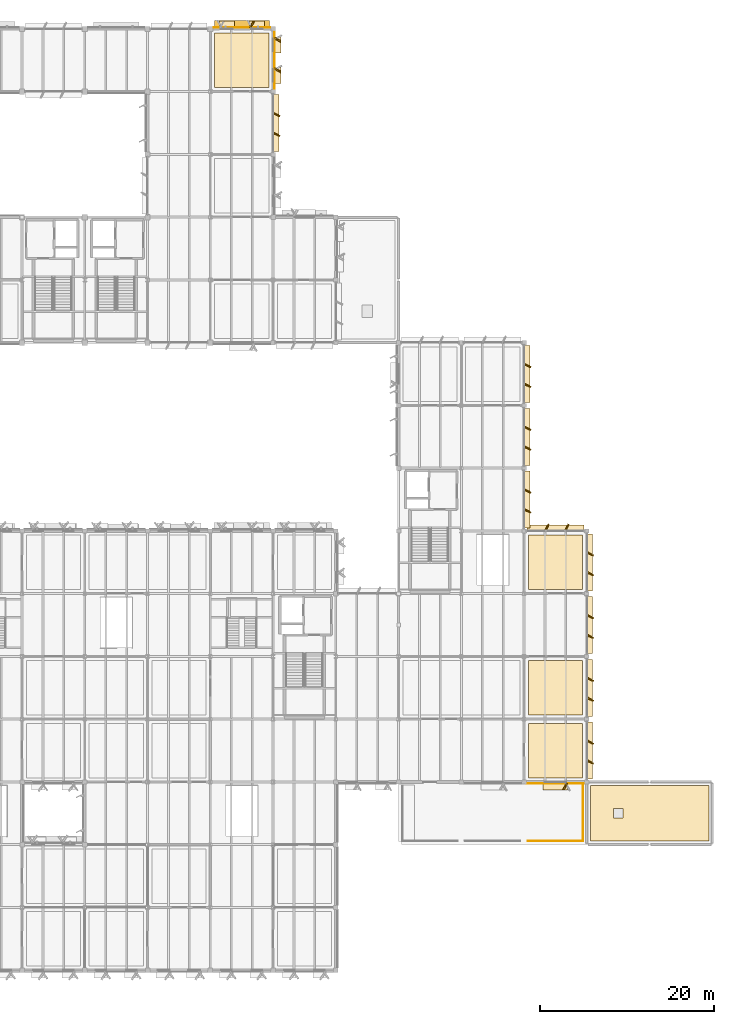
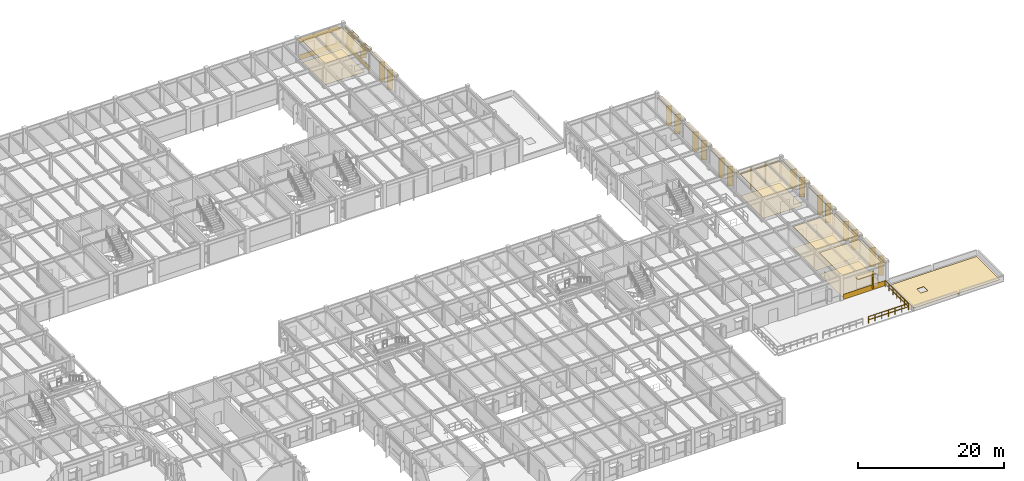
# One storey, part 85 of 85: 49 coverings, 2 railings, 1 shading device.
"""IFC4 building model written with IfcOpenShell, lengths in metres."""

import ifcopenshell
import ifcopenshell.guid

model = None  # the IFC model being written
_history = None  # IfcOwnerHistory: only IFC2X3 demands one
_inside = {}  # id of a spatial element -> (the spatial element, [elements in it])
_under = {}  # id of a project, library or spatial element -> (it, [spatial elements below it])
_declared = {}  # id of a project -> (the project, [libraries it declares])
_typed = {}  # id of a type object -> (the type object, [elements of that type])
_made_of = {}  # id of a material, layer set ... -> (it, [elements and type objects made of it])


def new_model(schema):
    """Start an empty IFC model of exactly this schema.

    Asked for "IFC4X3", IfcOpenShell would pick the latest addendum, in which some entities
    have other attributes; the version numbers below select the first issue.
    IFC2X3 requires an IfcOwnerHistory on every rooted entity: one is made here for all.
    """
    global model, _history
    if schema == "IFC4X3":
        model = ifcopenshell.file(schema_version=(4, 3, 0, 0))
    else:
        model = ifcopenshell.file(schema=schema)
    _inside.clear()
    _under.clear()
    _declared.clear()
    _typed.clear()
    _made_of.clear()
    _history = None
    if model.schema == "IFC2X3":
        org = make("IfcOrganization", Name="unknown")
        user = make(
            "IfcPersonAndOrganization",
            ThePerson=make("IfcPerson", FamilyName="unknown"),
            TheOrganization=org,
        )
        app = make(
            "IfcApplication",
            ApplicationDeveloper=org,
            Version="unknown",
            ApplicationFullName="unknown",
            ApplicationIdentifier="unknown",
        )
        _history = make(
            "IfcOwnerHistory",
            OwningUser=user,
            OwningApplication=app,
            ChangeAction="ADDED",
            CreationDate=0,
        )
    return model


def make(cls, **values):
    """One entity of the class cls with the attributes given. An attribute that is None is left unset."""
    return model.create_entity(
        cls, **{name: value for name, value in values.items() if value is not None}
    )


def rooted(cls, **values):
    """An entity with a GlobalId (a new one), such as an element, a storey or a relation."""
    return make(cls, GlobalId=ifcopenshell.guid.new(), OwnerHistory=_history, **values)


def si_unit(unit_type, name, prefix=None):
    """IfcSIUnit, for example si_unit("LENGTHUNIT", "METRE", prefix="MILLI")."""
    return make("IfcSIUnit", UnitType=unit_type, Prefix=prefix, Name=name)


def assignment(units):
    """IfcUnitAssignment: the units of a project."""
    return None if units is None else make("IfcUnitAssignment", Units=units)


def point(xyz):
    """IfcCartesianPoint."""
    return None if xyz is None else make("IfcCartesianPoint", Coordinates=xyz)


def direction(xyz):
    """IfcDirection."""
    return None if xyz is None else make("IfcDirection", DirectionRatios=xyz)


def frame(location, z_axis=None, x_axis=None):
    """IfcAxis2Placement3D, a coordinate frame: its origin and axes. An axis left out is left unset."""
    return make(
        "IfcAxis2Placement3D",
        Location=point(location),
        Axis=direction(z_axis),
        RefDirection=direction(x_axis),
    )


def frame_2d(location, x_axis=None):
    """IfcAxis2Placement2D, a coordinate frame in the plane: its origin and x axis."""
    return make(
        "IfcAxis2Placement2D", Location=point(location), RefDirection=direction(x_axis)
    )


def origin():
    """The frame at (0, 0, 0) with its axes left unset."""
    return frame((0.0, 0.0, 0.0))


def origin_2d():
    """The frame at (0, 0) in the plane with its x axis left unset."""
    return frame_2d((0.0, 0.0))


def place(relative_to, where):
    """IfcLocalPlacement: puts the frame where relative to a parent placement (None: the world)."""
    return make(
        "IfcLocalPlacement", PlacementRelTo=relative_to, RelativePlacement=where
    )


def context(
    kind, dimensions, precision=None, world=None, true_north=None, identifier=None
):
    """IfcGeometricRepresentationContext, for example the 3D "Model" context."""
    return make(
        "IfcGeometricRepresentationContext",
        ContextIdentifier=identifier,
        ContextType=kind,
        CoordinateSpaceDimension=dimensions,
        Precision=precision,
        WorldCoordinateSystem=world,
        TrueNorth=true_north,
    )


def subcontext(parent, identifier, kind, view, scale=None):
    """IfcGeometricRepresentationSubContext, for example "Body" below "Model"."""
    return make(
        "IfcGeometricRepresentationSubContext",
        ContextIdentifier=identifier,
        ContextType=kind,
        ParentContext=parent,
        TargetScale=scale,
        TargetView=view,
    )


def project(units=None, contexts=None):
    """IfcProject with its units and contexts."""
    return rooted(
        "IfcProject",
        Name="project",
        RepresentationContexts=contexts,
        UnitsInContext=assignment(units),
    )


def spatial(cls, under=None, at=None, **own):
    """A site, building, storey or space (cls), placed at a placement, below another one or the project."""
    s = rooted(cls, ObjectPlacement=at, **own)
    if under is not None:
        _under.setdefault(under.id(), (under, []))[1].append(s)
    return s


def polyline(points):
    """IfcPolyline through the points."""
    return make("IfcPolyline", Points=[point(p) for p in points])


def profile(cls, at=None, kind="AREA", **sizes):
    """A parametric profile (cls). Its sizes go by their IFC names, for example OverallWidth=200.0."""
    return make(cls, ProfileType=kind, Position=at, **sizes)


def rectangle(**sizes):
    """IfcRectangleProfileDef."""
    return profile("IfcRectangleProfileDef", **sizes)


def circle(**sizes):
    """IfcCircleProfileDef."""
    return profile("IfcCircleProfileDef", **sizes)


def outline(outer, holes=None, kind="AREA"):
    """IfcArbitraryClosedProfileDef: a profile drawn as a closed curve; with holes, ...WithVoids."""
    if holes is None:
        return make("IfcArbitraryClosedProfileDef", ProfileType=kind, OuterCurve=outer)
    return make(
        "IfcArbitraryProfileDefWithVoids",
        ProfileType=kind,
        OuterCurve=outer,
        InnerCurves=holes,
    )


def extrude(swept, where, along, depth):
    """IfcExtrudedAreaSolid: the profile swept, set in the frame where, extruded along a direction by depth."""
    return make(
        "IfcExtrudedAreaSolid",
        SweptArea=swept,
        Position=where,
        ExtrudedDirection=direction(along),
        Depth=depth,
    )


def shape(context_of_items, identifier, shape_type, items):
    """IfcShapeRepresentation: the items that make up one representation, for example the "Body"."""
    return make(
        "IfcShapeRepresentation",
        ContextOfItems=context_of_items,
        RepresentationIdentifier=identifier,
        RepresentationType=shape_type,
        Items=items,
    )


def material(Name=None, Category=None):
    """IfcMaterial."""
    return make("IfcMaterial", Name=Name, Category=Category)


def layer(
    of_material, thickness, ventilated=None, Name=None, Category=None, Priority=None
):
    """IfcMaterialLayer: one layer of a wall or slab, of a material (None: an air gap)."""
    return make(
        "IfcMaterialLayer",
        Material=of_material,
        LayerThickness=thickness,
        IsVentilated=ventilated,
        Name=Name,
        Category=Category,
        Priority=Priority,
    )


def layer_set(layers, Name=None):
    """IfcMaterialLayerSet."""
    return make("IfcMaterialLayerSet", MaterialLayers=layers, LayerSetName=Name)


def made_of(thing, what):
    """Note that an element or type object is made of a material, layer set ...; save() writes the relation."""
    if what is not None:
        _made_of.setdefault(what.id(), (what, []))[1].append(thing)
    return thing


def type_object(cls, material=None, **own):
    """A type object (cls), such as IfcWallType, which elements share."""
    return made_of(rooted(cls, **own), material)


def element(
    cls,
    number,
    at=None,
    inside=None,
    cuts=None,
    type_object=None,
    material=None,
    context=None,
    identifier="Body",
    shape_type=None,
    held_by="IfcProductDefinitionShape",
    body=None,
    shapes=None,
    **own,
):
    """One element of the class cls, such as IfcWall. Its Tag is "e" and its number.

    at: its placement. inside: the storey or other place that contains it. cuts: it is an
    opening in that element (IfcRelVoidsElement). A single representation is given by context,
    identifier, shape_type and body (its items); several are given by shapes. held_by: the class
    of the entity that holds the representations. save() writes the other relations.
    """
    e = rooted(cls, Tag="e%d" % number, ObjectPlacement=at, **own)
    if body is not None:
        shapes = [shape(context, identifier, shape_type, body)]
    if shapes is not None:
        e.Representation = make(held_by, Representations=shapes)
    if inside is not None:
        _inside.setdefault(inside.id(), (inside, []))[1].append(e)
    if cuts is not None:
        rooted(
            "IfcRelVoidsElement", RelatingBuildingElement=cuts, RelatedOpeningElement=e
        )
    if type_object is not None:
        _typed.setdefault(type_object.id(), (type_object, []))[1].append(e)
    return made_of(e, material)


def aggregate(whole, parts):
    """IfcRelAggregates: a whole, such as a stair, and the parts it consists of."""
    return rooted("IfcRelAggregates", RelatingObject=whole, RelatedObjects=parts)


def save(model, path):
    """Write the relations noted so far, then the file.

    IfcRelAggregates (storeys below a building ...), IfcRelContainedInSpatialStructure (elements
    in a storey), IfcRelDefinesByType, IfcRelAssociatesMaterial and IfcRelDeclares: one each for
    every whole, place, type object, material and project.
    """
    for whole, parts in _under.values():
        aggregate(whole, parts)
    for where, things in _inside.values():
        rooted(
            "IfcRelContainedInSpatialStructure",
            RelatedElements=things,
            RelatingStructure=where,
        )
    for kind, things in _typed.values():
        rooted("IfcRelDefinesByType", RelatedObjects=things, RelatingType=kind)
    for what, things in _made_of.values():
        rooted("IfcRelAssociatesMaterial", RelatedObjects=things, RelatingMaterial=what)
    for by, libraries in _declared.values():
        rooted("IfcRelDeclares", RelatingContext=by, RelatedDefinitions=libraries)
    model.write(path)


model = new_model("IFC4")

# Units and contexts
model_context = context("Model", 3, precision=1e-05, world=origin(), true_north=direction((0.0, 1.0)))
body_context = subcontext(model_context, "Body", "Model", "MODEL_VIEW")
ifc_project = project(units=[si_unit("LENGTHUNIT", "METRE"), si_unit("AREAUNIT", "SQUARE_METRE"), si_unit("VOLUMEUNIT", "CUBIC_METRE"), si_unit("PLANEANGLEUNIT", "RADIAN"), si_unit("MASSUNIT", "GRAM", prefix="KILO")], contexts=[model_context])

# Site, building, storey
site_placement = place(None, origin())
site = spatial("IfcSite", under=ifc_project, at=site_placement, CompositionType="ELEMENT")
building_placement = place(site_placement, origin())
building = spatial("IfcBuilding", under=site, at=building_placement, Name="Sillqori Civic Hall", CompositionType="ELEMENT")
storey_placement = place(building_placement, frame((0.0, 0.0, 9.89990234375)))
storey = spatial("IfcBuildingStorey", under=building, at=storey_placement, Name="L03", CompositionType="ELEMENT", Elevation=9.89990234375)

# Coverings
ifc_material_1 = material(Name="Perforated Metal Coffer Panel 64", Category="aluminium")
ifc_layer_1 = layer(ifc_material_1, 0.06396484375)
ifc_layer_set_1 = layer_set([ifc_layer_1], Name="Perforated Metal Coffer Panel 64")
covering_type_1 = type_object("IfcCoveringType", Name="COV-CEIL-M64", PredefinedType="CEILING", material=ifc_layer_set_1)
covering_1_placement = place(storey_placement, frame((0.0, 0.0, 3.55712890625)))
element("IfcCovering", 1, at=covering_1_placement, inside=storey, type_object=covering_type_1, Name="Rare Books Conservation Consultation Room acoustic ceiling", PredefinedType="CEILING", context=body_context, shape_type="SweptSolid", body=[
    extrude(outline(polyline([(137.280029296875, 29.280029296875), (143.52001953125, 29.280029296875), (143.52001953125, 35.52001953125), (137.280029296875, 35.52001953125), (137.280029296875, 29.280029296875)])), origin(), (0.0, 0.0, 1.0), 0.06396484375),
])
ifc_material_2 = material(Name="Perforated Metal Coffer Panel 70", Category="aluminium")
ifc_layer_2 = layer(ifc_material_2, 0.070068359375)
ifc_layer_set_2 = layer_set([ifc_layer_2], Name="Perforated Metal Coffer Panel 70")
covering_type_2 = type_object("IfcCoveringType", Name="COV-CEIL-M70", PredefinedType="CEILING", material=ifc_layer_set_2)
covering_2_placement = place(storey_placement, frame((0.0, 0.0, 3.551025390625)))
element("IfcCovering", 2, at=covering_2_placement, inside=storey, type_object=covering_type_2, Name="Members Library Quiet Study Reading Room L03-05 acoustic ceiling", PredefinedType="CEILING", context=body_context, shape_type="SweptSolid", body=[
    extrude(outline(polyline([(137.280029296875, 36.47998046875), (143.52001953125, 36.47998046875), (143.52001953125, 42.719970703125), (137.280029296875, 42.719970703125), (137.280029296875, 36.47998046875)])), origin(), (0.0, 0.0, 1.0), 0.070068359375),
])
ifc_material_3 = material(Name="Acoustic Wool Metal Plank 76", Category="aluminium")
ifc_layer_3 = layer(ifc_material_3, 0.075927734375)
ifc_layer_set_3 = layer_set([ifc_layer_3], Name="Acoustic Wool Metal Plank 76")
covering_type_3 = type_object("IfcCoveringType", Name="COV-CEIL-M76", PredefinedType="CEILING", material=ifc_layer_set_3)
covering_3_placement = place(storey_placement, frame((0.0, 0.0, 3.545166015625)))
element("IfcCovering", 3, at=covering_3_placement, inside=storey, type_object=covering_type_3, Name="Library Open Book Stacks Historic Statutes L03-06 acoustic ceiling", PredefinedType="CEILING", context=body_context, shape_type="SweptSolid", body=[
    extrude(outline(polyline([(137.280029296875, 50.8798828125), (143.52001953125, 50.8798828125), (143.52001953125, 57.1201171875), (137.280029296875, 57.1201171875), (137.280029296875, 50.8798828125)])), origin(), (0.0, 0.0, 1.0), 0.075927734375),
])
ifc_material_4 = material(Name="Slatted Andean Cedar Acoustic Baffle", Category="timber")
ifc_layer_4 = layer(ifc_material_4, 0.0419921875)
ifc_layer_set_4 = layer_set([ifc_layer_4], Name="Slatted Andean Cedar Acoustic Baffle")
covering_type_4 = type_object("IfcCoveringType", Name="COV-CEIL-TIM", PredefinedType="CEILING", material=ifc_layer_set_4)
covering_4_placement = place(storey_placement, frame((0.0, 0.0, 3.5791015625)))
element("IfcCovering", 4, at=covering_4_placement, inside=storey, type_object=covering_type_4, Name="Municipal Staff Reference Lounge L03-08 acoustic ceiling", PredefinedType="CEILING", context=body_context, shape_type="SweptSolid", body=[
    extrude(outline(polyline([(101.280029296875, 108.47998046875), (107.52001953125, 108.47998046875), (107.52001953125, 114.719970703125), (101.280029296875, 114.719970703125), (101.280029296875, 108.47998046875)])), origin(), (0.0, 0.0, 1.0), 0.0419921875),
])
ifc_material_5 = material(Name="Cochabamba Honed Limestone Cladding", Category="masonry")
ifc_layer_5 = layer(ifc_material_5, 0.044921875)
ifc_layer_set_5 = layer_set([ifc_layer_5], Name="Cochabamba Honed Limestone Cladding")
covering_type_5 = type_object("IfcCoveringType", Name="COV-CLAD-LIME", PredefinedType="CLADDING", material=ifc_layer_set_5)
covering_5_placement = place(storey_placement, frame((108.320068359375, 107.669921875, 3.30712890625), z_axis=(0.0, 0.0, 1.0), x_axis=(0.0, -1.0, 0.0)))
element("IfcCovering", 5, at=covering_5_placement, inside=storey, type_object=covering_type_5, Name="L03 curtain-wall limestone solar hood L03-14-14-E", PredefinedType="CLADDING", context=body_context, shape_type="SweptSolid", body=[
    extrude(rectangle(XDim=6.5400390625, YDim=0.679931640625, at=frame_2d((3.27001953125, 0.0))), origin(), (0.0, 0.0, 1.0), 0.179931640625),
])
for number, where, z_axis, x_axis, name in (
    (6, (108.050048828125, 105.5390625, 0.06005859375), (0.0, 0.0, 1.0), (0.894366527193, -0.447334902547, 0.0), "L03 curtain-wall angled stone fin L03-14-14-E.1"),
    (7, (108.050048828125, 103.260986328125, 0.06005859375), (0.0, 0.0, 1.0), (0.894366527193, -0.447334902547, 0.0), "L03 curtain-wall angled stone fin L03-14-14-E.2"),
):
    element("IfcCovering", number, at=place(storey_placement, frame(where, z_axis=z_axis, x_axis=x_axis)), inside=storey, type_object=covering_type_5, Name=name, PredefinedType="CLADDING", context=body_context, shape_type="SweptSolid", body=[
        extrude(rectangle(XDim=0.804931640625, YDim=0.139892578125, at=frame_2d((0.40234375, 0.0))), origin(), (0.0, 0.0, 1.0), 3.2470703125),
    ])
covering_6_placement = place(storey_placement, frame((101.179931640625, 115.360107421875, 0.0400390625), z_axis=(0.0, 0.0, 1.0), x_axis=(1.0, 0.0, 0.0)))
element("IfcCovering", 8, at=covering_6_placement, inside=storey, type_object=covering_type_5, Name="L03 limestone spandrel cladding L03-14-15-N", PredefinedType="CLADDING", context=body_context, shape_type="SweptSolid", body=[
    extrude(rectangle(XDim=6.489990234375, YDim=0.044921875, at=frame_2d((3.2451171875, 0.0))), origin(), (0.0, 0.0, 1.0), 0.860107421875),
])
covering_7_placement = place(storey_placement, frame((101.841064453125, 115.699951171875, 2.840087890625), z_axis=(0.0, 0.0, 1.0), x_axis=(1.0, 0.0, 0.0)))
element("IfcCovering", 9, at=covering_7_placement, inside=storey, type_object=covering_type_5, Name="Sawtooth limestone window hood L03-14-15-N.1", PredefinedType="CLADDING", context=body_context, shape_type="SweptSolid", body=[
    extrude(rectangle(XDim=1.7099609375, YDim=0.780029296875, at=frame_2d((0.85498046875, 0.0))), origin(), (0.0, 0.0, 1.0), 0.139892578125),
])
covering_8_placement = place(storey_placement, frame((105.35888671875, 115.320068359375, 0.830078125), z_axis=(0.0, 0.0, 1.0), x_axis=(0.500062241894, 0.865989465428, 0.0)))
element("IfcCovering", 10, at=covering_8_placement, inside=storey, type_object=covering_type_5, Name="Sawtooth limestone angled reveal cheek L03-14-15-N.2", PredefinedType="CLADDING", context=body_context, shape_type="SweptSolid", body=[
    extrude(rectangle(XDim=0.85009765625, YDim=0.179931640625, at=frame_2d((0.425048828125, 0.0))), origin(), (0.0, 0.0, 1.0), 2.14990234375),
])
covering_9_placement = place(storey_placement, frame((105.299072265625, 115.699951171875, 2.840087890625), z_axis=(0.0, 0.0, 1.0), x_axis=(1.0, 0.0, 0.0)))
element("IfcCovering", 11, at=covering_9_placement, inside=storey, type_object=covering_type_5, Name="Sawtooth limestone window hood L03-14-15-N.2", PredefinedType="CLADDING", context=body_context, shape_type="SweptSolid", body=[
    extrude(rectangle(XDim=1.7099609375, YDim=0.780029296875, at=frame_2d((0.85498046875, 0.0))), origin(), (0.0, 0.0, 1.0), 0.139892578125),
])
covering_10_placement = place(storey_placement, frame((108.159912109375, 114.8701171875, 0.0400390625), z_axis=(0.0, 0.0, 1.0), x_axis=(0.0, -1.0, 0.0)))
element("IfcCovering", 12, at=covering_10_placement, inside=storey, type_object=covering_type_5, Name="L03 limestone spandrel cladding L03-14-15-E", PredefinedType="CLADDING", context=body_context, shape_type="SweptSolid", body=[
    extrude(rectangle(XDim=6.5400390625, YDim=0.044921875, at=frame_2d((3.27001953125, 0.0))), origin(), (0.0, 0.0, 1.0), 0.860107421875),
])
covering_11_placement = place(storey_placement, frame((108.159912109375, 114.8701171875, 3.22021484375), z_axis=(0.0, 0.0, 1.0), x_axis=(0.0, -1.0, 0.0)))
element("IfcCovering", 13, at=covering_11_placement, inside=storey, type_object=covering_type_5, Name="L03 limestone frieze cladding L03-14-15-E", PredefinedType="CLADDING", context=body_context, shape_type="SweptSolid", body=[
    extrude(rectangle(XDim=6.5400390625, YDim=0.044921875, at=frame_2d((3.27001953125, 0.0))), origin(), (0.0, 0.0, 1.0), 0.226806640625),
])
covering_12_placement = place(storey_placement, frame((108.1201171875, 114.18701171875, 0.830078125), z_axis=(0.0, 0.0, 1.0), x_axis=(0.865989465428, -0.500062241894, 0.0)))
element("IfcCovering", 14, at=covering_12_placement, inside=storey, type_object=covering_type_5, Name="Sawtooth limestone angled reveal cheek L03-14-15-E.1", PredefinedType="CLADDING", context=body_context, shape_type="SweptSolid", body=[
    extrude(rectangle(XDim=0.85009765625, YDim=0.179931640625, at=frame_2d((0.425048828125, 0.0))), origin(), (0.0, 0.0, 1.0), 2.14990234375),
])
covering_13_placement = place(storey_placement, frame((108.5, 114.2470703125, 2.840087890625), z_axis=(0.0, 0.0, 1.0), x_axis=(0.0, -1.0, 0.0)))
element("IfcCovering", 15, at=covering_13_placement, inside=storey, type_object=covering_type_5, Name="Sawtooth limestone window hood L03-14-15-E.1", PredefinedType="CLADDING", context=body_context, shape_type="SweptSolid", body=[
    extrude(rectangle(XDim=1.81005859375, YDim=0.780029296875, at=frame_2d((0.905029296875, 0.0))), origin(), (0.0, 0.0, 1.0), 0.139892578125),
])
covering_14_placement = place(storey_placement, frame((108.1201171875, 110.702880859375, 0.830078125), z_axis=(0.0, 0.0, 1.0), x_axis=(0.866113839764, -0.499846793097, 0.0)))
element("IfcCovering", 16, at=covering_14_placement, inside=storey, type_object=covering_type_5, Name="Sawtooth limestone angled reveal cheek L03-14-15-E.2", PredefinedType="CLADDING", context=body_context, shape_type="SweptSolid", body=[
    extrude(rectangle(XDim=0.849853515625, YDim=0.179931640625, at=frame_2d((0.4248046875, 0.0))), origin(), (0.0, 0.0, 1.0), 2.14990234375),
])
covering_15_placement = place(storey_placement, frame((108.5, 110.762939453125, 2.840087890625), z_axis=(0.0, 0.0, 1.0), x_axis=(0.0, -1.0, 0.0)))
element("IfcCovering", 17, at=covering_15_placement, inside=storey, type_object=covering_type_5, Name="Sawtooth limestone window hood L03-14-15-E.2", PredefinedType="CLADDING", context=body_context, shape_type="SweptSolid", body=[
    extrude(rectangle(XDim=1.81005859375, YDim=0.780029296875, at=frame_2d((0.905029296875, 0.0))), origin(), (0.0, 0.0, 1.0), 0.139892578125),
])
covering_16_placement = place(storey_placement, frame((137.1201171875, 64.469970703125, 3.30712890625), z_axis=(0.0, 0.0, 1.0), x_axis=(0.0, -1.0, 0.0)))
element("IfcCovering", 18, at=covering_16_placement, inside=storey, type_object=covering_type_5, Name="L03 curtain-wall limestone solar hood L03-18-08-E", PredefinedType="CLADDING", context=body_context, shape_type="SweptSolid", body=[
    extrude(rectangle(XDim=6.5400390625, YDim=0.679931640625, at=frame_2d((3.27001953125, 0.0))), origin(), (0.0, 0.0, 1.0), 0.179931640625),
])
for number, where, z_axis, x_axis, name in (
    (19, (136.85009765625, 62.339111328125, 0.06005859375), (0.0, 0.0, 1.0), (0.894366527193, -0.447334902547, 0.0), "L03 curtain-wall angled stone fin L03-18-08-E.1"),
    (20, (136.85009765625, 60.06103515625, 0.06005859375), (0.0, 0.0, 1.0), (0.894366527193, -0.447334902547, 0.0), "L03 curtain-wall angled stone fin L03-18-08-E.2"),
):
    element("IfcCovering", number, at=place(storey_placement, frame(where, z_axis=z_axis, x_axis=x_axis)), inside=storey, type_object=covering_type_5, Name=name, PredefinedType="CLADDING", context=body_context, shape_type="SweptSolid", body=[
        extrude(rectangle(XDim=0.804931640625, YDim=0.139892578125, at=frame_2d((0.40234375, 0.0))), origin(), (0.0, 0.0, 1.0), 3.2470703125),
    ])
covering_17_placement = place(storey_placement, frame((137.1201171875, 71.669921875, 3.30712890625), z_axis=(0.0, 0.0, 1.0), x_axis=(0.0, -1.0, 0.0)))
element("IfcCovering", 21, at=covering_17_placement, inside=storey, type_object=covering_type_5, Name="L03 curtain-wall limestone solar hood L03-18-09-E", PredefinedType="CLADDING", context=body_context, shape_type="SweptSolid", body=[
    extrude(rectangle(XDim=6.5400390625, YDim=0.679931640625, at=frame_2d((3.27001953125, 0.0))), origin(), (0.0, 0.0, 1.0), 0.179931640625),
])
for number, where, z_axis, x_axis, name in (
    (22, (136.85009765625, 69.5390625, 0.06005859375), (0.0, 0.0, 1.0), (0.894366527193, -0.447334902547, 0.0), "L03 curtain-wall angled stone fin L03-18-09-E.1"),
    (23, (136.85009765625, 67.260986328125, 0.06005859375), (0.0, 0.0, 1.0), (0.894366527193, -0.447334902547, 0.0), "L03 curtain-wall angled stone fin L03-18-09-E.2"),
):
    element("IfcCovering", number, at=place(storey_placement, frame(where, z_axis=z_axis, x_axis=x_axis)), inside=storey, type_object=covering_type_5, Name=name, PredefinedType="CLADDING", context=body_context, shape_type="SweptSolid", body=[
        extrude(rectangle(XDim=0.804931640625, YDim=0.139892578125, at=frame_2d((0.40234375, 0.0))), origin(), (0.0, 0.0, 1.0), 3.2470703125),
    ])
covering_18_placement = place(storey_placement, frame((137.1201171875, 78.8701171875, 3.30712890625), z_axis=(0.0, 0.0, 1.0), x_axis=(0.0, -1.0, 0.0)))
element("IfcCovering", 24, at=covering_18_placement, inside=storey, type_object=covering_type_5, Name="L03 curtain-wall limestone solar hood L03-18-10-E", PredefinedType="CLADDING", context=body_context, shape_type="SweptSolid", body=[
    extrude(rectangle(XDim=6.5400390625, YDim=0.679931640625, at=frame_2d((3.27001953125, 0.0))), origin(), (0.0, 0.0, 1.0), 0.179931640625),
])
for number, where, z_axis, x_axis, name in (
    (25, (136.85009765625, 76.739013671875, 0.06005859375), (0.0, 0.0, 1.0), (0.894366527193, -0.447334902547, 0.0), "L03 curtain-wall angled stone fin L03-18-10-E.1"),
    (26, (136.85009765625, 74.4609375, 0.06005859375), (0.0, 0.0, 1.0), (0.894487846579, -0.44709226377, 0.0), "L03 curtain-wall angled stone fin L03-18-10-E.2"),
):
    element("IfcCovering", number, at=place(storey_placement, frame(where, z_axis=z_axis, x_axis=x_axis)), inside=storey, type_object=covering_type_5, Name=name, PredefinedType="CLADDING", context=body_context, shape_type="SweptSolid", body=[
        extrude(rectangle(XDim=0.804931640625, YDim=0.139892578125, at=frame_2d((0.40234375, 0.0))), origin(), (0.0, 0.0, 1.0), 3.2470703125),
    ])
covering_19_placement = place(storey_placement, frame((143.669921875, 28.6298828125, 0.0400390625), z_axis=(0.0, 0.0, 1.0), x_axis=(-1.0, 0.0, 0.0)))
element("IfcCovering", 27, at=covering_19_placement, inside=storey, type_object=covering_type_5, Name="L03 limestone spandrel cladding L03-19-04-S", PredefinedType="CLADDING", context=body_context, shape_type="SweptSolid", body=[
    extrude(rectangle(XDim=6.5400390625, YDim=0.044921875, at=frame_2d((3.27001953125, 0.0))), origin(), (0.0, 0.0, 1.0), 0.860107421875),
])
covering_20_placement = place(storey_placement, frame((141.7451171875, 28.669921875, 0.830078125), z_axis=(0.0, 0.0, 1.0), x_axis=(-0.500062241894, -0.865989465428, 0.0)))
element("IfcCovering", 28, at=covering_20_placement, inside=storey, type_object=covering_type_5, Name="Sawtooth limestone angled reveal cheek L03-19-04-S.1", PredefinedType="CLADDING", context=body_context, shape_type="SweptSolid", body=[
    extrude(rectangle(XDim=0.85009765625, YDim=0.179931640625, at=frame_2d((0.425048828125, 0.0))), origin(), (0.0, 0.0, 1.0), 2.35009765625),
])
covering_21_placement = place(storey_placement, frame((141.804931640625, 28.2900390625, 3.0400390625), z_axis=(0.0, 0.0, 1.0), x_axis=(-1.0, 0.0, 0.0)))
element("IfcCovering", 29, at=covering_21_placement, inside=storey, type_object=covering_type_5, Name="Sawtooth limestone window hood L03-19-04-S.1", PredefinedType="CLADDING", context=body_context, shape_type="SweptSolid", body=[
    extrude(rectangle(XDim=2.809814453125, YDim=0.780029296875, at=frame_2d((1.40478515625, 0.0))), origin(), (0.0, 0.0, 1.0), 0.14013671875),
])
covering_22_placement = place(storey_placement, frame((144.320068359375, 35.669921875, 3.287109375), z_axis=(0.0, 0.0, 1.0), x_axis=(0.0, -1.0, 0.0)))
element("IfcCovering", 30, at=covering_22_placement, inside=storey, type_object=covering_type_5, Name="L03 curtain-wall limestone solar hood L03-19-04-E", PredefinedType="CLADDING", context=body_context, shape_type="SweptSolid", body=[
    extrude(rectangle(XDim=6.5400390625, YDim=0.679931640625, at=frame_2d((3.27001953125, 0.0))), origin(), (0.0, 0.0, 1.0), 0.179931640625),
])
for number, where, z_axis, x_axis, name in (
    (31, (144.050048828125, 33.5390625, 0.06005859375), (0.0, 0.0, 1.0), (0.894366527193, -0.447334902547, 0.0), "L03 curtain-wall angled stone fin L03-19-04-E.1"),
    (32, (144.050048828125, 31.260986328125, 0.06005859375), (0.0, 0.0, 1.0), (0.894366527193, -0.447334902547, 0.0), "L03 curtain-wall angled stone fin L03-19-04-E.2"),
):
    element("IfcCovering", number, at=place(storey_placement, frame(where, z_axis=z_axis, x_axis=x_axis)), inside=storey, type_object=covering_type_5, Name=name, PredefinedType="CLADDING", context=body_context, shape_type="SweptSolid", body=[
        extrude(rectangle(XDim=0.804931640625, YDim=0.139892578125, at=frame_2d((0.40234375, 0.0))), origin(), (0.0, 0.0, 1.0), 3.22705078125),
    ])
covering_23_placement = place(storey_placement, frame((144.320068359375, 42.8701171875, 3.30712890625), z_axis=(0.0, 0.0, 1.0), x_axis=(0.0, -1.0, 0.0)))
element("IfcCovering", 33, at=covering_23_placement, inside=storey, type_object=covering_type_5, Name="L03 curtain-wall limestone solar hood L03-19-05-E", PredefinedType="CLADDING", context=body_context, shape_type="SweptSolid", body=[
    extrude(rectangle(XDim=6.5400390625, YDim=0.679931640625, at=frame_2d((3.27001953125, 0.0))), origin(), (0.0, 0.0, 1.0), 0.179931640625),
])
for number, where, z_axis, x_axis, name in (
    (34, (144.050048828125, 40.739013671875, 0.06005859375), (0.0, 0.0, 1.0), (0.894366527193, -0.447334902547, 0.0), "L03 curtain-wall angled stone fin L03-19-05-E.1"),
    (35, (144.050048828125, 38.4609375, 0.06005859375), (0.0, 0.0, 1.0), (0.894487846579, -0.44709226377, 0.0), "L03 curtain-wall angled stone fin L03-19-05-E.2"),
):
    element("IfcCovering", number, at=place(storey_placement, frame(where, z_axis=z_axis, x_axis=x_axis)), inside=storey, type_object=covering_type_5, Name=name, PredefinedType="CLADDING", context=body_context, shape_type="SweptSolid", body=[
        extrude(rectangle(XDim=0.804931640625, YDim=0.139892578125, at=frame_2d((0.40234375, 0.0))), origin(), (0.0, 0.0, 1.0), 3.2470703125),
    ])
covering_24_placement = place(storey_placement, frame((144.320068359375, 50.070068359375, 3.30712890625), z_axis=(0.0, 0.0, 1.0), x_axis=(0.0, -1.0, 0.0)))
element("IfcCovering", 36, at=covering_24_placement, inside=storey, type_object=covering_type_5, Name="L03 curtain-wall limestone solar hood L03-19-06-E", PredefinedType="CLADDING", context=body_context, shape_type="SweptSolid", body=[
    extrude(rectangle(XDim=6.5400390625, YDim=0.679931640625, at=frame_2d((3.27001953125, 0.0))), origin(), (0.0, 0.0, 1.0), 0.179931640625),
])
for number, where, z_axis, x_axis, name in (
    (37, (144.050048828125, 47.93896484375, 0.06005859375), (0.0, 0.0, 1.0), (0.894487846579, -0.44709226377, 0.0), "L03 curtain-wall angled stone fin L03-19-06-E.1"),
    (38, (144.050048828125, 45.660888671875, 0.06005859375), (0.0, 0.0, 1.0), (0.894487846579, -0.44709226377, 0.0), "L03 curtain-wall angled stone fin L03-19-06-E.2"),
):
    element("IfcCovering", number, at=place(storey_placement, frame(where, z_axis=z_axis, x_axis=x_axis)), inside=storey, type_object=covering_type_5, Name=name, PredefinedType="CLADDING", context=body_context, shape_type="SweptSolid", body=[
        extrude(rectangle(XDim=0.804931640625, YDim=0.139892578125, at=frame_2d((0.40234375, 0.0))), origin(), (0.0, 0.0, 1.0), 3.2470703125),
    ])
covering_25_placement = place(storey_placement, frame((137.1298828125, 57.919921875, 3.22802734375), z_axis=(0.0, 0.0, 1.0), x_axis=(1.0, 0.0, 0.0)))
element("IfcCovering", 39, at=covering_25_placement, inside=storey, type_object=covering_type_5, Name="L03 curtain-wall limestone solar hood L03-19-07-N", PredefinedType="CLADDING", context=body_context, shape_type="SweptSolid", body=[
    extrude(rectangle(XDim=6.5400390625, YDim=0.679931640625, at=frame_2d((3.27001953125, 0.0))), origin(), (0.0, 0.0, 1.0), 0.18017578125),
])
for number, where, z_axis, x_axis, name in (
    (40, (139.260986328125, 57.64990234375, 0.06005859375), (0.0, 0.0, 1.0), (0.4472135955, 0.894427191, 0.0), "L03 curtain-wall angled stone fin L03-19-07-N.1"),
    (41, (141.5390625, 57.64990234375, 0.06005859375), (0.0, 0.0, 1.0), (0.44697098964, 0.894548452807, 0.0), "L03 curtain-wall angled stone fin L03-19-07-N.2"),
):
    element("IfcCovering", number, at=place(storey_placement, frame(where, z_axis=z_axis, x_axis=x_axis)), inside=storey, type_object=covering_type_5, Name=name, PredefinedType="CLADDING", context=body_context, shape_type="SweptSolid", body=[
        extrude(rectangle(XDim=0.80517578125, YDim=0.139892578125, at=frame_2d((0.402587890625, 0.0))), origin(), (0.0, 0.0, 1.0), 3.16796875),
    ])
covering_26_placement = place(storey_placement, frame((144.320068359375, 57.27001953125, 3.30712890625), z_axis=(0.0, 0.0, 1.0), x_axis=(0.0, -1.0, 0.0)))
element("IfcCovering", 42, at=covering_26_placement, inside=storey, type_object=covering_type_5, Name="L03 curtain-wall limestone solar hood L03-19-07-E", PredefinedType="CLADDING", context=body_context, shape_type="SweptSolid", body=[
    extrude(rectangle(XDim=6.5400390625, YDim=0.679931640625, at=frame_2d((3.27001953125, 0.0))), origin(), (0.0, 0.0, 1.0), 0.179931640625),
])
for number, where, z_axis, x_axis, name in (
    (43, (144.050048828125, 55.138916015625, 0.06005859375), (0.0, 0.0, 1.0), (0.894487846579, -0.44709226377, 0.0), "L03 curtain-wall angled stone fin L03-19-07-E.1"),
    (44, (144.050048828125, 52.861083984375, 0.06005859375), (0.0, 0.0, 1.0), (0.894366527193, -0.447334902547, 0.0), "L03 curtain-wall angled stone fin L03-19-07-E.2"),
):
    element("IfcCovering", number, at=place(storey_placement, frame(where, z_axis=z_axis, x_axis=x_axis)), inside=storey, type_object=covering_type_5, Name=name, PredefinedType="CLADDING", context=body_context, shape_type="SweptSolid", body=[
        extrude(rectangle(XDim=0.804931640625, YDim=0.139892578125, at=frame_2d((0.40234375, 0.0))), origin(), (0.0, 0.0, 1.0), 3.2470703125),
    ])
ifc_material_6 = material(Name="Dust-Sealed Heavy-Duty Archive Epoxy", Category="resin")
ifc_layer_6 = layer(ifc_material_6, 0.014892578125)
ifc_layer_set_6 = layer_set([ifc_layer_6], Name="Dust-Sealed Heavy-Duty Archive Epoxy")
covering_type_6 = type_object("IfcCoveringType", Name="COV-FLR-EPX", PredefinedType="FLOORING", material=ifc_layer_set_6)
covering_27_placement = place(storey_placement, origin())
element("IfcCovering", 45, at=covering_27_placement, inside=storey, type_object=covering_type_6, Name="Rare Books Conservation Consultation Room floor finish", PredefinedType="FLOORING", context=body_context, shape_type="SweptSolid", body=[
    extrude(outline(polyline([(137.280029296875, 29.280029296875), (143.52001953125, 29.280029296875), (143.52001953125, 35.52001953125), (137.280029296875, 35.52001953125), (137.280029296875, 29.280029296875)])), origin(), (0.0, 0.0, 1.0), 0.01513671875),
])
ifc_material_7 = material(Name="Vitrified Porcelain Tile 18", Category="ceramic")
ifc_layer_7 = layer(ifc_material_7, 0.01806640625)
ifc_layer_set_7 = layer_set([ifc_layer_7], Name="Vitrified Porcelain Tile 18")
covering_type_7 = type_object("IfcCoveringType", Name="COV-FLR-P18", PredefinedType="FLOORING", material=ifc_layer_set_7)
covering_28_placement = place(storey_placement, origin())
element("IfcCovering", 46, at=covering_28_placement, inside=storey, type_object=covering_type_7, Name="Members Library Quiet Study Reading Room L03-05 floor finish", PredefinedType="FLOORING", context=body_context, shape_type="SweptSolid", body=[
    extrude(outline(polyline([(137.280029296875, 36.47998046875), (143.52001953125, 36.47998046875), (143.52001953125, 42.719970703125), (137.280029296875, 42.719970703125), (137.280029296875, 36.47998046875)])), origin(), (0.0, 0.0, 1.0), 0.01806640625),
])
ifc_material_8 = material(Name="Engineered Tajibo Hardwood Flooring", Category="wood")
ifc_layer_8 = layer(ifc_material_8, 0.02587890625)
ifc_layer_set_8 = layer_set([ifc_layer_8], Name="Engineered Tajibo Hardwood Flooring")
covering_type_8 = type_object("IfcCoveringType", Name="COV-FLR-PRQ", PredefinedType="FLOORING", material=ifc_layer_set_8)
covering_29_placement = place(storey_placement, origin())
element("IfcCovering", 47, at=covering_29_placement, inside=storey, type_object=covering_type_8, Name="Municipal Staff Reference Lounge L03-08 floor finish", PredefinedType="FLOORING", context=body_context, shape_type="SweptSolid", body=[
    extrude(outline(polyline([(101.280029296875, 108.47998046875), (107.52001953125, 108.47998046875), (107.52001953125, 114.719970703125), (101.280029296875, 114.719970703125), (101.280029296875, 108.47998046875)])), origin(), (0.0, 0.0, 1.0), 0.026123046875),
])
ifc_material_9 = material(Name="Seamless Polyurethane Acoustic Screed 12", Category="resin")
ifc_layer_9 = layer(ifc_material_9, 0.011962890625)
ifc_layer_set_9 = layer_set([ifc_layer_9], Name="Seamless Polyurethane Acoustic Screed 12")
covering_type_9 = type_object("IfcCoveringType", Name="COV-FLR-R12", PredefinedType="FLOORING", material=ifc_layer_set_9)
covering_30_placement = place(storey_placement, origin())
element("IfcCovering", 48, at=covering_30_placement, inside=storey, type_object=covering_type_9, Name="Library Open Book Stacks Historic Statutes L03-06 floor finish", PredefinedType="FLOORING", context=body_context, shape_type="SweptSolid", body=[
    extrude(outline(polyline([(137.280029296875, 50.8798828125), (143.52001953125, 50.8798828125), (143.52001953125, 57.1201171875), (137.280029296875, 57.1201171875), (137.280029296875, 50.8798828125)])), origin(), (0.0, 0.0, 1.0), 0.01220703125),
])
ifc_material_10 = material(Name="Insulated Standing-Seam Solar Roof Membrane", Category="membrane")
ifc_layer_10 = layer(ifc_material_10, 0.054931640625)
ifc_layer_set_10 = layer_set([ifc_layer_10], Name="Insulated Standing-Seam Solar Roof Membrane")
covering_type_10 = type_object("IfcCoveringType", Name="COV-ROOF-TPO", PredefinedType="ROOFING", material=ifc_layer_set_10)
covering_31_placement = place(storey_placement, origin())
element("IfcCovering", 49, at=covering_31_placement, inside=storey, type_object=covering_type_10, Name="L03 insulated TPO roof membrane ROOF-FLAT-L02-1", PredefinedType="ROOFING", context=body_context, shape_type="SweptSolid", body=[
    extrude(outline(polyline([(144.39990234375, 22.0), (158.0, 22.0), (158.0, 28.39990234375), (144.39990234375, 28.39990234375), (144.39990234375, 22.0)]), holes=[polyline([(147.050048828125, 24.64990234375), (147.050048828125, 25.75), (148.14990234375, 25.75), (148.14990234375, 24.64990234375), (147.050048828125, 24.64990234375)])]), origin(), (0.0, 0.0, 1.0), 0.05517578125),
])

# Railings
ifc_material_11 = material(Name="Stainless Steel 316 and Laminated Balustrade", Category="steel")
ifc_layer_11 = layer(ifc_material_11, 0.06005859375)
ifc_layer_set_11 = layer_set([ifc_layer_11], Name="Stainless Steel 316 and Laminated Balustrade")
railing_type = type_object("IfcRailingType", Name="RLG-TERR-112", PredefinedType="GUARDRAIL", material=ifc_layer_set_11)
railing_1_placement = place(storey_placement, frame((137.239990234375, 22.0400390625, 0.0)))
element("IfcRailing", 50, at=railing_1_placement, inside=storey, type_object=railing_type, Name="Library Courtyard Step Terrace perimeter guard S-03", PredefinedType="GUARDRAIL", context=body_context, shape_type="SweptSolid", body=[
    extrude(circle(Radius=0.02392578125, at=origin_2d()), frame((0.0, 0.0, 1.09619140625), z_axis=(1.0, 0.0, 0.0), x_axis=(0.0, 1.0, 0.0)), (0.0, 0.0, 1.0), 6.320068359375),
    extrude(circle(Radius=0.02392578125, at=origin_2d()), frame((0.0, 0.0, 0.56005859375), z_axis=(1.0, 0.0, 0.0), x_axis=(0.0, 1.0, 0.0)), (0.0, 0.0, 1.0), 6.320068359375),
    extrude(circle(Radius=0.02099609375, at=origin_2d()), origin(), (0.0, 0.0, 1.0), 1.072021484375),
    extrude(circle(Radius=0.02099609375, at=origin_2d()), frame((1.05322265625, 0.0, 0.0)), (0.0, 0.0, 1.0), 1.072021484375),
    extrude(circle(Radius=0.02099609375, at=origin_2d()), frame((2.106689453125, 0.0, 0.0)), (0.0, 0.0, 1.0), 1.072021484375),
    extrude(circle(Radius=0.02099609375, at=origin_2d()), frame((3.16015625, 0.0, 0.0)), (0.0, 0.0, 1.0), 1.072021484375),
    extrude(circle(Radius=0.02099609375, at=origin_2d()), frame((4.21337890625, 0.0, 0.0)), (0.0, 0.0, 1.0), 1.072021484375),
    extrude(circle(Radius=0.02099609375, at=origin_2d()), frame((5.2666015625, 0.0, 0.0)), (0.0, 0.0, 1.0), 1.072021484375),
    extrude(circle(Radius=0.02099609375, at=origin_2d()), frame((6.320068359375, 0.0, 0.0)), (0.0, 0.0, 1.0), 1.072021484375),
])
railing_2_placement = place(storey_placement, frame((143.56005859375, 22.0400390625, 0.0)))
element("IfcRailing", 51, at=railing_2_placement, inside=storey, type_object=railing_type, Name="Library Courtyard Step Terrace perimeter guard E-05", PredefinedType="GUARDRAIL", context=body_context, shape_type="SweptSolid", body=[
    extrude(circle(Radius=0.02392578125, at=origin_2d()), frame((0.0, 0.0, 1.09619140625), z_axis=(0.0, 1.0, 0.0), x_axis=(-1.0, 0.0, 0.0)), (0.0, 0.0, 1.0), 6.320068359375),
    extrude(circle(Radius=0.02392578125, at=origin_2d()), frame((0.0, 0.0, 0.56005859375), z_axis=(0.0, 1.0, 0.0), x_axis=(-1.0, 0.0, 0.0)), (0.0, 0.0, 1.0), 6.320068359375),
    extrude(circle(Radius=0.02099609375, at=origin_2d()), origin(), (0.0, 0.0, 1.0), 1.072021484375),
    extrude(circle(Radius=0.02099609375, at=origin_2d()), frame((0.0, 1.05322265625, 0.0)), (0.0, 0.0, 1.0), 1.072021484375),
    extrude(circle(Radius=0.02099609375, at=origin_2d()), frame((0.0, 2.106689453125, 0.0)), (0.0, 0.0, 1.0), 1.072021484375),
    extrude(circle(Radius=0.02099609375, at=origin_2d()), frame((0.0, 3.16015625, 0.0)), (0.0, 0.0, 1.0), 1.072021484375),
    extrude(circle(Radius=0.02099609375, at=origin_2d()), frame((0.0, 4.21337890625, 0.0)), (0.0, 0.0, 1.0), 1.072021484375),
    extrude(circle(Radius=0.02099609375, at=origin_2d()), frame((0.0, 5.2666015625, 0.0)), (0.0, 0.0, 1.0), 1.072021484375),
    extrude(circle(Radius=0.02099609375, at=origin_2d()), frame((0.0, 6.320068359375, 0.0)), (0.0, 0.0, 1.0), 1.072021484375),
])

# Shading device
ifc_material_12 = material(Name="Anodized Aluminium Solar Control Louvre", Category="aluminium")
shading_device_type = type_object("IfcShadingDeviceType", Name="SHD-HOOD-640", PredefinedType="JALOUSIE", material=ifc_material_12)
shading_device_placement = place(storey_placement, frame((104.425048828125, 115.75, 2.8701171875), z_axis=(0.0, 0.0, 1.0), x_axis=(1.0, 0.0, 0.0)))
element("IfcShadingDevice", 52, at=shading_device_placement, inside=storey, type_object=shading_device_type, Name="L03 north solar hood L03-14-15-N", PredefinedType="JALOUSIE", context=body_context, shape_type="SweptSolid", body=[
    extrude(rectangle(XDim=6.35009765625, YDim=0.85009765625, at=origin_2d()), origin(), (0.0, 0.0, 1.0), 0.139892578125),
])

save(model, "model.ifc")
